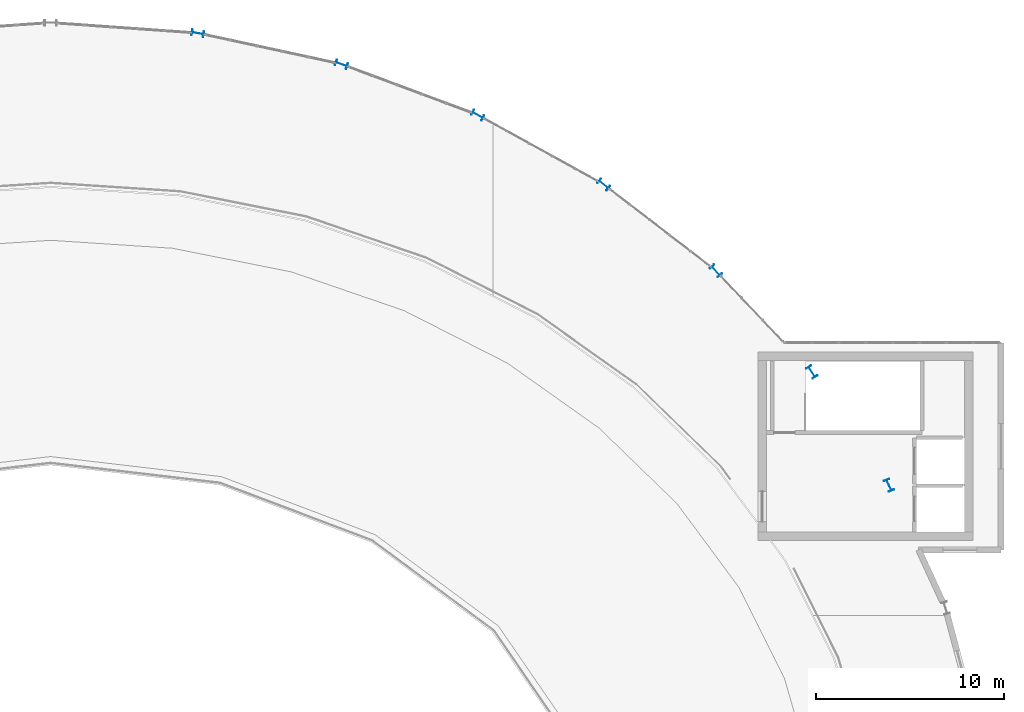
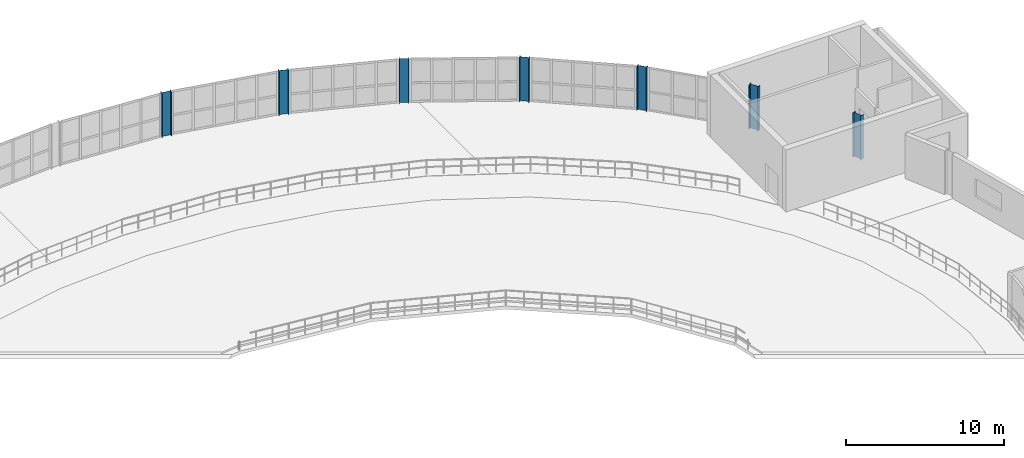
# One storey, part 6 of 40: 7 columns.
"""IFC4 building model written with IfcOpenShell, lengths in metres."""

from ifc_helpers import new_model, si_unit, direction, frame, origin, origin_2d, place, context, subcontext, project, spatial, i_section, extrude, material, material_profile, profile_set, type_object, element, save


model = new_model("IFC4")

# Units and contexts
model_context = context("Model", 3, precision=1e-05, world=origin(), true_north=direction((0.0, 1.0)))
body_context = subcontext(model_context, "Body", "Model", "MODEL_VIEW")
ifc_project = project(units=[si_unit("LENGTHUNIT", "METRE"), si_unit("AREAUNIT", "SQUARE_METRE"), si_unit("VOLUMEUNIT", "CUBIC_METRE"), si_unit("PLANEANGLEUNIT", "RADIAN"), si_unit("MASSUNIT", "GRAM", prefix="KILO")], contexts=[model_context])

# Site, building, storey
site_placement = place(None, origin())
site = spatial("IfcSite", under=ifc_project, at=site_placement, CompositionType="ELEMENT")
building_placement = place(site_placement, origin())
building = spatial("IfcBuilding", under=site, at=building_placement, Name="Glasvene Arena", CompositionType="ELEMENT")
storey_placement = place(building_placement, frame((0.0, 0.0, 24.0)))
storey = spatial("IfcBuildingStorey", under=building, at=storey_placement, Name="L05", CompositionType="ELEMENT", Elevation=24.0)

# Columns
ifc_material = material(Name="Steel S355J2", Category="steel")
ifc_material_profile = material_profile(ifc_material, i_section(OverallWidth=0.300048828125, OverallDepth=0.64990234375, WebThickness=0.01611328125, FlangeThickness=0.031005859375, FilletRadius=0.027099609375, at=origin_2d()), Name="HEB 650")
ifc_profile_set = profile_set([ifc_material_profile], Name="Steel S355J2")
column_type = type_object("IfcColumnType", Name="COL-RING-HEB650", PredefinedType="COLUMN", material=ifc_profile_set)
for number, where, z_axis, x_axis, name in (
    (1, (136.55029296875, 93.4296875, 0.0), (0.0, 0.0, 1.0), (0.909018020308, 0.416756810089, 0.0), "Bowl ring column R04 L05"),
    (2, (132.45068359375, 99.4501953125, 0.0), (0.0, 0.0, 1.0), (0.836955398099, 0.547271104292, 0.0), "Bowl ring column R05 L05"),
    (3, (127.355224609375, 104.81982421875, 0.0), (0.0, 0.0, 1.0), (0.74326159948, 0.669000892928, 0.0), "Bowl ring column R06 L05"),
    (4, (121.389404296875, 109.40576171875, 0.0), (0.0, 0.0, 1.0), (0.628098877137, 0.778133536444, 0.0), "Bowl ring column R07 L05"),
    (5, (114.699462890625, 113.09521484375, 0.0), (0.0, 0.0, 1.0), (0.492727341548, 0.87018375467, 0.0), "Bowl ring column R08 L05"),
    (6, (107.45068359375, 115.797607421875, 0.0), (0.0, 0.0, 1.0), (0.339558864524, 0.94058480613, 0.0), "Bowl ring column R09 L05"),
    (7, (99.82177734375, 117.446044921875, 0.0), (0.0, 0.0, 1.0), (0.173304404339, 0.984868307662, 0.0), "Bowl ring column R10 L05"),
):
    element("IfcColumn", number, at=place(storey_placement, frame(where, z_axis=z_axis, x_axis=x_axis)), inside=storey, type_object=column_type, Name=name, PredefinedType="COLUMN", context=body_context, shape_type="SweptSolid", body=[
        extrude(i_section(OverallWidth=0.300048828125, OverallDepth=0.64990234375, WebThickness=0.01611328125, FlangeThickness=0.031005859375, FilletRadius=0.027099609375, at=origin_2d()), origin(), (0.0, 0.0, 1.0), 3.39990234375),
    ])

save(model, "model.ifc")
